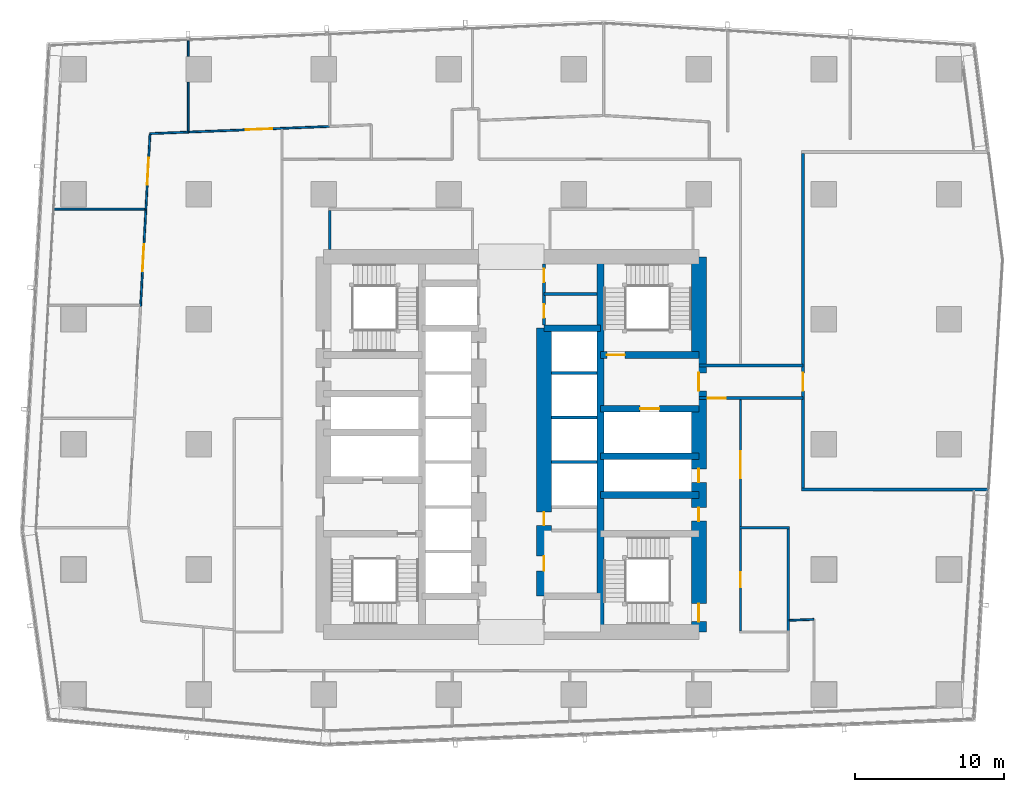
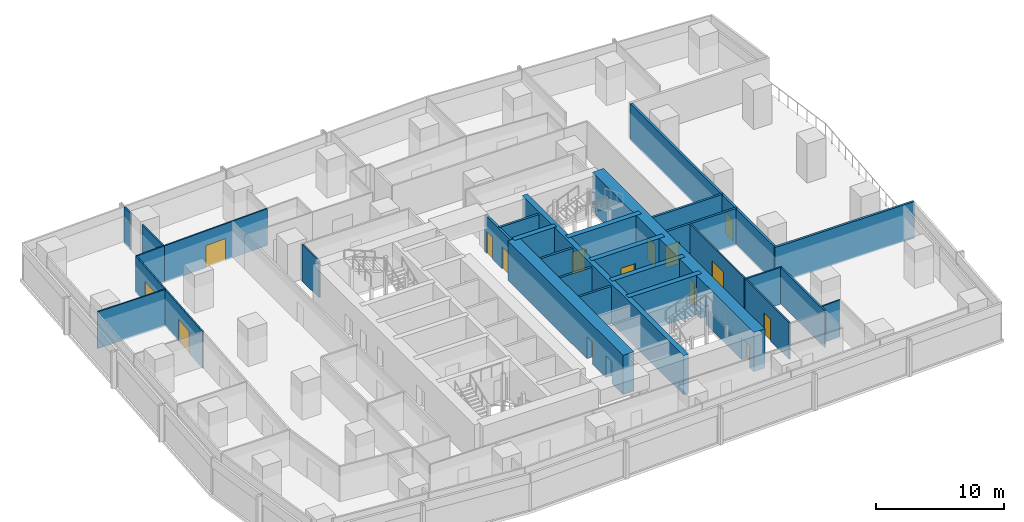
# One storey, part 30 of 40: 30 walls, 17 doors, 17 openings.
"""IFC4 building model written with IfcOpenShell, lengths in metres."""

from ifc_helpers import new_model, si_unit, direction, frame, frame_2d, origin, place, context, subcontext, project, spatial, rectangle, extrude, material, layer, layer_set, type_object, element, fill, save


model = new_model("IFC4")

# Units and contexts
model_context = context("Model", 3, precision=1e-05, world=origin(), true_north=direction((0.0, 1.0)))
body_context = subcontext(model_context, "Body", "Model", "MODEL_VIEW")
ifc_project = project(units=[si_unit("LENGTHUNIT", "METRE"), si_unit("AREAUNIT", "SQUARE_METRE"), si_unit("VOLUMEUNIT", "CUBIC_METRE"), si_unit("PLANEANGLEUNIT", "RADIAN"), si_unit("MASSUNIT", "GRAM", prefix="KILO")], contexts=[model_context])

# Site, building, storey
site_placement = place(None, origin())
site = spatial("IfcSite", under=ifc_project, at=site_placement, CompositionType="ELEMENT")
building_placement = place(site_placement, origin())
building = spatial("IfcBuilding", under=site, at=building_placement, Name="Rekha Terrace Tower", CompositionType="ELEMENT")
storey_placement = place(building_placement, frame((0.0, 0.0, 99.050048828125)))
storey = spatial("IfcBuildingStorey", under=building, at=storey_placement, Name="L24", CompositionType="ELEMENT", Elevation=99.050048828125)

# Walls
ifc_material_1 = material(Name="Concrete M70", Category="concrete")
ifc_layer_1 = layer(ifc_material_1, 0.449951171875)
ifc_layer_set_1 = layer_set([ifc_layer_1], Name="Concrete M70")
wall_type_1 = type_object("IfcWallType", Name="CI2 450 core internal shear wall", PredefinedType="SHEAR", material=ifc_layer_set_1)
wall_1_placement = place(storey_placement, frame((43.800048828125, 21.0, 0.0), z_axis=(0.0, 0.0, 1.0), x_axis=(0.0, 1.0, 0.0)))
element("IfcWall", 1, at=wall_1_placement, inside=storey, type_object=wall_type_1, Name="Core wall X438 L24", PredefinedType="SHEAR", context=body_context, shape_type="SweptSolid", body=[
    extrude(rectangle(XDim=25.199951171875, YDim=0.449951171875, at=frame_2d((12.60009765625, 0.0))), origin(), (0.0, 0.0, 1.0), 3.75),
])
wall_2_placement = place(storey_placement, frame((40.0, 41.39990234375, 0.0), z_axis=(0.0, 0.0, 1.0), x_axis=(1.0, 0.0, 0.0)))
element("IfcWall", 2, at=wall_2_placement, inside=storey, type_object=wall_type_1, Name="Core wall Y414E L24", PredefinedType="SHEAR", context=body_context, shape_type="SweptSolid", body=[
    extrude(rectangle(XDim=3.800048828125, YDim=0.449951171875, at=frame_2d((1.89990234375, 0.0))), origin(), (0.0, 0.0, 1.0), 3.75),
])
for number, where, z_axis, x_axis, name in (
    (3, (43.800048828125, 30.199951171875, 0.0), (0.0, 0.0, 1.0), (1.0, 0.0, 0.0), "Core wall Y302E L24"),
    (4, (43.800048828125, 32.800048828125, 0.0), (0.0, 0.0, 1.0), (1.0, 0.0, 0.0), "Core wall Y328E L24"),
):
    element("IfcWall", number, at=place(storey_placement, frame(where, z_axis=z_axis, x_axis=x_axis)), inside=storey, type_object=wall_type_1, Name=name, PredefinedType="SHEAR", context=body_context, shape_type="SweptSolid", body=[
        extrude(rectangle(XDim=6.599853515625, YDim=0.449951171875, at=frame_2d((3.2998046875, 0.0))), origin(), (0.0, 0.0, 1.0), 3.75),
    ])

# Wall, opening, door
wall_3_placement = place(storey_placement, frame((43.800048828125, 36.0, 0.0), z_axis=(0.0, 0.0, 1.0), x_axis=(1.0, 0.0, 0.0)))
wall_3 = element("IfcWall", 5, at=wall_3_placement, inside=storey, type_object=wall_type_1, Name="Core wall Y360E L24", PredefinedType="SHEAR", context=body_context, shape_type="SweptSolid", body=[
    extrude(rectangle(XDim=6.599853515625, YDim=0.449951171875, at=frame_2d((3.2998046875, 0.0))), origin(), (0.0, 0.0, 1.0), 3.75),
])
opening_1_placement = place(wall_3_placement, frame((2.64990234375, 0.0, 0.0)))
opening_1 = element("IfcOpeningElement", 6, at=opening_1_placement, cuts=wall_3, Name="Opening LD2", PredefinedType="OPENING", context=body_context, shape_type="SweptSolid", body=[
    extrude(rectangle(XDim=1.300048828125, YDim=2.10009765625, at=frame_2d((0.64990234375, 1.050048828125))), frame((0.0, 0.23486328125, 0.0), z_axis=(0.0, -1.0, 0.0), x_axis=(1.0, 0.0, 0.0)), (0.0, 0.0, 1.0), 0.469970703125),
])
ifc_material_2 = material(Name="Stainless steel sliding landing door", Category="steel")
door_type_1 = type_object("IfcDoorType", Name="LD2 1300x2100 fire lift landing door", OperationType="SLIDING_TO_LEFT", PredefinedType="USERDEFINED", material=ifc_material_2)
door_1_placement = place(opening_1_placement, origin())
door_1 = element("IfcDoor", 7, at=door_1_placement, inside=storey, type_object=door_type_1, Name="Lift FL2 landing door L24", ObjectType="LIFT LANDING DOOR", OperationType="SLIDING_TO_LEFT", OverallHeight=2.10009765625, OverallWidth=1.300048828125, PredefinedType="USERDEFINED", context=body_context, shape_type="SweptSolid", body=[
    extrude(rectangle(XDim=1.300048828125, YDim=2.10009765625, at=frame_2d((0.64990234375, 1.050048828125))), frame((0.0, 0.02490234375, 0.0), z_axis=(0.0, -1.0, 0.0), x_axis=(1.0, 0.0, 0.0)), (0.0, 0.0, 1.0), 0.050048828125),
])
fill(opening_1, door_1)

wall_4_placement = place(storey_placement, frame((43.800048828125, 39.60009765625, 0.0), z_axis=(0.0, 0.0, 1.0), x_axis=(1.0, 0.0, 0.0)))
wall_4 = element("IfcWall", 8, at=wall_4_placement, inside=storey, type_object=wall_type_1, Name="Core wall Y396E L24", PredefinedType="SHEAR", context=body_context, shape_type="SweptSolid", body=[
    extrude(rectangle(XDim=6.599853515625, YDim=0.449951171875, at=frame_2d((3.2998046875, 0.0))), origin(), (0.0, 0.0, 1.0), 3.75),
])
opening_2_placement = place(wall_4_placement, frame((0.425048828125, 0.0, 0.0)))
opening_2 = element("IfcOpeningElement", 9, at=opening_2_placement, cuts=wall_4, Name="Opening D1", PredefinedType="OPENING", context=body_context, shape_type="SweptSolid", body=[
    extrude(rectangle(XDim=1.199951171875, YDim=2.10009765625, at=frame_2d((0.60009765625, 1.050048828125))), frame((0.0, 0.23486328125, 0.0), z_axis=(0.0, -1.0, 0.0), x_axis=(1.0, 0.0, 0.0)), (0.0, 0.0, 1.0), 0.469970703125),
])
ifc_material_3 = material(Name="Steel fire door", Category="steel")
door_type_2 = type_object("IfcDoorType", Name="D1 1200x2100 stair fire door", OperationType="SINGLE_SWING_RIGHT", PredefinedType="DOOR", material=ifc_material_3)
door_2_placement = place(opening_2_placement, origin())
door_2 = element("IfcDoor", 10, at=door_2_placement, inside=storey, type_object=door_type_2, Name="Stair ST2 door L24", OperationType="SINGLE_SWING_RIGHT", OverallHeight=2.10009765625, OverallWidth=1.199951171875, PredefinedType="DOOR", context=body_context, shape_type="SweptSolid", body=[
    extrude(rectangle(XDim=1.199951171875, YDim=2.10009765625, at=frame_2d((0.60009765625, 1.050048828125))), frame((0.0, 0.02490234375, 0.0), z_axis=(0.0, -1.0, 0.0), x_axis=(1.0, 0.0, 0.0)), (0.0, 0.0, 1.0), 0.050048828125),
])
fill(opening_2, door_2)

# Wall, openings, doors
ifc_layer_2 = layer(ifc_material_1, 1.0)
ifc_layer_set_2 = layer_set([ifc_layer_2], Name="Concrete M70")
wall_type_2 = type_object("IfcWallType", Name="LW2 1000 core lobby wall at an outrigger level", PredefinedType="SHEAR", material=ifc_layer_set_2)
wall_5_placement = place(storey_placement, frame((40.0, 23.39990234375, 0.0), z_axis=(0.0, 0.0, 1.0), x_axis=(0.0, 1.0, 0.0)))
wall_5 = element("IfcWall", 11, at=wall_5_placement, inside=storey, type_object=wall_type_2, Name="Core wall X400 L24", PredefinedType="SHEAR", context=body_context, shape_type="SweptSolid", body=[
    extrude(rectangle(XDim=18.0, YDim=1.0, at=frame_2d((9.0, 0.0))), origin(), (0.0, 0.0, 1.0), 3.75),
])
opening_3_placement = place(wall_5_placement, frame((1.699951171875, 0.0, 0.0)))
opening_3 = element("IfcOpeningElement", 12, at=opening_3_placement, cuts=wall_5, Name="Opening D3", PredefinedType="OPENING", context=body_context, shape_type="SweptSolid", body=[
    extrude(rectangle(XDim=1.0, YDim=2.10009765625, at=frame_2d((0.5, 1.050048828125))), frame((0.0, 0.510009765625, 0.0), z_axis=(0.0, -1.0, 0.0), x_axis=(1.0, 0.0, 0.0)), (0.0, 0.0, 1.0), 1.02001953125),
])
opening_4_placement = place(wall_5_placement, frame((4.75, 0.0, 0.0)))
opening_4 = element("IfcOpeningElement", 13, at=opening_4_placement, cuts=wall_5, Name="Opening D5", PredefinedType="OPENING", context=body_context, shape_type="SweptSolid", body=[
    extrude(rectangle(XDim=0.89990234375, YDim=2.10009765625, at=frame_2d((0.449951171875, 1.050048828125))), frame((0.0, 0.510009765625, 0.0), z_axis=(0.0, -1.0, 0.0), x_axis=(1.0, 0.0, 0.0)), (0.0, 0.0, 1.0), 1.02001953125),
])
ifc_material_4 = material(Name="Laminated timber fire door", Category="wood")
door_type_3 = type_object("IfcDoorType", Name="D3 1000x2100 WC door", OperationType="SINGLE_SWING_LEFT", PredefinedType="DOOR", material=ifc_material_4)
door_3_placement = place(opening_3_placement, origin())
door_3 = element("IfcDoor", 14, at=door_3_placement, inside=storey, type_object=door_type_3, Name="Door staff wc L24", OperationType="SINGLE_SWING_LEFT", OverallHeight=2.10009765625, OverallWidth=1.0, PredefinedType="DOOR", context=body_context, shape_type="SweptSolid", body=[
    extrude(rectangle(XDim=1.0, YDim=2.10009765625, at=frame_2d((0.5, 1.050048828125))), frame((0.0, 0.02490234375, 0.0), z_axis=(0.0, -1.0, 0.0), x_axis=(1.0, 0.0, 0.0)), (0.0, 0.0, 1.0), 0.050048828125),
])
fill(opening_3, door_3)
door_type_4 = type_object("IfcDoorType", Name="D5 900x2100 riser access door", OperationType="SINGLE_SWING_LEFT", PredefinedType="DOOR", material=ifc_material_3)
door_4_placement = place(opening_4_placement, origin())
door_4 = element("IfcDoor", 15, at=door_4_placement, inside=storey, type_object=door_type_4, Name="Door records store L24", OperationType="SINGLE_SWING_LEFT", OverallHeight=2.10009765625, OverallWidth=0.89990234375, PredefinedType="DOOR", context=body_context, shape_type="SweptSolid", body=[
    extrude(rectangle(XDim=0.89990234375, YDim=2.10009765625, at=frame_2d((0.449951171875, 1.050048828125))), frame((0.0, 0.02490234375, 0.0), z_axis=(0.0, -1.0, 0.0), x_axis=(1.0, 0.0, 0.0)), (0.0, 0.0, 1.0), 0.050048828125),
])
fill(opening_4, door_4)

ifc_layer_3 = layer(ifc_material_1, 1.0)
ifc_layer_set_3 = layer_set([ifc_layer_3], Name="Concrete M70")
wall_type_3 = type_object("IfcWallType", Name="SW2 1000 core outer shear wall", PredefinedType="SHEAR", material=ifc_layer_set_3)
wall_6_placement = place(storey_placement, frame((50.39990234375, 21.0, 0.0), z_axis=(0.0, 0.0, 1.0), x_axis=(0.0, 1.0, 0.0)))
wall_6 = element("IfcWall", 16, at=wall_6_placement, inside=storey, type_object=wall_type_3, Name="Core wall E L24", PredefinedType="SHEAR", context=body_context, shape_type="SweptSolid", body=[
    extrude(rectangle(XDim=25.199951171875, YDim=1.0, at=frame_2d((12.60009765625, 0.0))), origin(), (0.0, 0.0, 1.0), 3.75),
])
opening_5_placement = place(wall_6_placement, frame((16.199951171875, 0.0, 0.0)))
opening_5 = element("IfcOpeningElement", 17, at=opening_5_placement, cuts=wall_6, Name="Opening D2", PredefinedType="OPENING", context=body_context, shape_type="SweptSolid", body=[
    extrude(rectangle(XDim=1.199951171875, YDim=2.10009765625, at=frame_2d((0.60009765625, 1.050048828125))), frame((0.0, 0.510009765625, 0.0), z_axis=(0.0, -1.0, 0.0), x_axis=(1.0, 0.0, 0.0)), (0.0, 0.0, 1.0), 1.02001953125),
])
opening_6_placement = place(wall_6_placement, frame((10.050048828125, 0.0, 0.0)))
opening_6 = element("IfcOpeningElement", 18, at=opening_6_placement, cuts=wall_6, Name="Opening D5", PredefinedType="OPENING", context=body_context, shape_type="SweptSolid", body=[
    extrude(rectangle(XDim=0.89990234375, YDim=2.10009765625, at=frame_2d((0.449951171875, 1.050048828125))), frame((0.0, 0.510009765625, 0.0), z_axis=(0.0, -1.0, 0.0), x_axis=(1.0, 0.0, 0.0)), (0.0, 0.0, 1.0), 1.02001953125),
])
opening_7_placement = place(wall_6_placement, frame((7.449951171875, 0.0, 0.0)))
opening_7 = element("IfcOpeningElement", 19, at=opening_7_placement, cuts=wall_6, Name="Opening D5", PredefinedType="OPENING", context=body_context, shape_type="SweptSolid", body=[
    extrude(rectangle(XDim=0.89990234375, YDim=2.10009765625, at=frame_2d((0.449951171875, 1.050048828125))), frame((0.0, 0.510009765625, 0.0), z_axis=(0.0, -1.0, 0.0), x_axis=(1.0, 0.0, 0.0)), (0.0, 0.0, 1.0), 1.02001953125),
])
opening_8_placement = place(wall_6_placement, frame((0.699951171875, 0.0, 0.0)))
opening_8 = element("IfcOpeningElement", 20, at=opening_8_placement, cuts=wall_6, Name="Opening D1", PredefinedType="OPENING", context=body_context, shape_type="SweptSolid", body=[
    extrude(rectangle(XDim=1.199951171875, YDim=2.10009765625, at=frame_2d((0.60009765625, 1.050048828125))), frame((0.0, 0.510009765625, 0.0), z_axis=(0.0, -1.0, 0.0), x_axis=(1.0, 0.0, 0.0)), (0.0, 0.0, 1.0), 1.02001953125),
])
door_5_placement = place(opening_8_placement, origin())
door_5 = element("IfcDoor", 21, at=door_5_placement, inside=storey, type_object=door_type_2, Name="Stair ST3 door L24", OperationType="SINGLE_SWING_RIGHT", OverallHeight=2.10009765625, OverallWidth=1.199951171875, PredefinedType="DOOR", context=body_context, shape_type="SweptSolid", body=[
    extrude(rectangle(XDim=1.199951171875, YDim=2.10009765625, at=frame_2d((0.60009765625, 1.050048828125))), frame((0.0, 0.02490234375, 0.0), z_axis=(0.0, -1.0, 0.0), x_axis=(1.0, 0.0, 0.0)), (0.0, 0.0, 1.0), 0.050048828125),
])
fill(opening_8, door_5)
door_type_5 = type_object("IfcDoorType", Name="D2 1200x2100 firefighting lobby door", OperationType="SINGLE_SWING_LEFT", PredefinedType="DOOR", material=ifc_material_3)
door_6_placement = place(opening_5_placement, origin())
door_6 = element("IfcDoor", 22, at=door_6_placement, inside=storey, type_object=door_type_5, Name="Door flb2 L24", OperationType="SINGLE_SWING_LEFT", OverallHeight=2.10009765625, OverallWidth=1.199951171875, PredefinedType="DOOR", context=body_context, shape_type="SweptSolid", body=[
    extrude(rectangle(XDim=1.199951171875, YDim=2.10009765625, at=frame_2d((0.60009765625, 1.050048828125))), frame((0.0, 0.02490234375, 0.0), z_axis=(0.0, -1.0, 0.0), x_axis=(1.0, 0.0, 0.0)), (0.0, 0.0, 1.0), 0.050048828125),
])
fill(opening_5, door_6)
door_7_placement = place(opening_6_placement, origin())
door_7 = element("IfcDoor", 23, at=door_7_placement, inside=storey, type_object=door_type_4, Name="Door rs2 L24", OperationType="SINGLE_SWING_LEFT", OverallHeight=2.10009765625, OverallWidth=0.89990234375, PredefinedType="DOOR", context=body_context, shape_type="SweptSolid", body=[
    extrude(rectangle(XDim=0.89990234375, YDim=2.10009765625, at=frame_2d((0.449951171875, 1.050048828125))), frame((0.0, 0.02490234375, 0.0), z_axis=(0.0, -1.0, 0.0), x_axis=(1.0, 0.0, 0.0)), (0.0, 0.0, 1.0), 0.050048828125),
])
fill(opening_6, door_7)
door_8_placement = place(opening_7_placement, origin())
door_8 = element("IfcDoor", 24, at=door_8_placement, inside=storey, type_object=door_type_4, Name="Door ele L24", OperationType="SINGLE_SWING_LEFT", OverallHeight=2.10009765625, OverallWidth=0.89990234375, PredefinedType="DOOR", context=body_context, shape_type="SweptSolid", body=[
    extrude(rectangle(XDim=0.89990234375, YDim=2.10009765625, at=frame_2d((0.449951171875, 1.050048828125))), frame((0.0, 0.02490234375, 0.0), z_axis=(0.0, -1.0, 0.0), x_axis=(1.0, 0.0, 0.0)), (0.0, 0.0, 1.0), 0.050048828125),
])
fill(opening_7, door_8)

# Walls
ifc_material_5 = material(Name="Concrete block masonry, 1 hour", Category="masonry")
ifc_layer_4 = layer(ifc_material_5, 0.14990234375)
ifc_layer_set_4 = layer_set([ifc_layer_4], Name="Concrete block masonry, 1 hour")
wall_type_4 = type_object("IfcWallType", Name="WP2 150 tenancy partition", PredefinedType="PARTITIONING", material=ifc_layer_set_4)
wall_7_placement = place(storey_placement, frame((25.60009765625, 46.699951171875, 0.0), z_axis=(0.0, 0.0, 1.0), x_axis=(0.0, 1.0, 0.0)))
element("IfcWall", 25, at=wall_7_placement, inside=storey, type_object=wall_type_4, Name="Women's WC wall L24", PredefinedType="PARTITIONING", context=body_context, shape_type="SweptSolid", body=[
    extrude(rectangle(XDim=2.625, YDim=0.14990234375, at=frame_2d((1.3125, 0.0))), origin(), (0.0, 0.0, 1.0), 3.5),
])
wall_8_placement = place(storey_placement, frame((53.125, 28.0, 0.0), z_axis=(0.0, 0.0, 1.0), x_axis=(1.0, 0.0, 0.0)))
element("IfcWall", 26, at=wall_8_placement, inside=storey, type_object=wall_type_4, Name="Men's WC wall L24", PredefinedType="PARTITIONING", context=body_context, shape_type="SweptSolid", body=[
    extrude(rectangle(XDim=3.35009765625, YDim=0.14990234375, at=frame_2d((1.675048828125, 0.0))), origin(), (0.0, 0.0, 1.0), 3.5),
])

# Wall, opening, door
wall_9_placement = place(storey_placement, frame((53.199951171875, 21.074951171875, 0.0), z_axis=(0.0, 0.0, 1.0), x_axis=(0.0, 1.0, 0.0)))
wall_9 = element("IfcWall", 27, at=wall_9_placement, inside=storey, type_object=wall_type_4, Name="Men's WC wall L24", PredefinedType="PARTITIONING", context=body_context, shape_type="SweptSolid", body=[
    extrude(rectangle(XDim=6.85009765625, YDim=0.14990234375, at=frame_2d((3.425048828125, 0.0))), origin(), (0.0, 0.0, 1.0), 3.5),
])
opening_9_placement = place(wall_9_placement, frame((2.925048828125, 0.0, 0.0)))
opening_9 = element("IfcOpeningElement", 28, at=opening_9_placement, cuts=wall_9, Name="Opening D3", PredefinedType="OPENING", context=body_context, shape_type="SweptSolid", body=[
    extrude(rectangle(XDim=1.0, YDim=2.10009765625, at=frame_2d((0.5, 1.050048828125))), frame((0.0, 0.0849609375, 0.0), z_axis=(0.0, -1.0, 0.0), x_axis=(1.0, 0.0, 0.0)), (0.0, 0.0, 1.0), 0.169921875),
])
door_9_placement = place(opening_9_placement, origin())
door_9 = element("IfcDoor", 29, at=door_9_placement, inside=storey, type_object=door_type_3, Name="Door men's wc L24", OperationType="SINGLE_SWING_LEFT", OverallHeight=2.10009765625, OverallWidth=1.0, PredefinedType="DOOR", context=body_context, shape_type="SweptSolid", body=[
    extrude(rectangle(XDim=1.0, YDim=2.10009765625, at=frame_2d((0.5, 1.050048828125))), frame((0.0, 0.02490234375, 0.0), z_axis=(0.0, -1.0, 0.0), x_axis=(1.0, 0.0, 0.0)), (0.0, 0.0, 1.0), 0.050048828125),
])
fill(opening_9, door_9)

# Wall
wall_10_placement = place(storey_placement, frame((56.39990234375, 21.074951171875, 0.0), z_axis=(0.0, 0.0, 1.0), x_axis=(0.0, 1.0, 0.0)))
element("IfcWall", 30, at=wall_10_placement, inside=storey, type_object=wall_type_4, Name="Men's WC wall L24", PredefinedType="PARTITIONING", context=body_context, shape_type="SweptSolid", body=[
    extrude(rectangle(XDim=6.85009765625, YDim=0.14990234375, at=frame_2d((3.425048828125, 0.0))), origin(), (0.0, 0.0, 1.0), 3.5),
])

# Wall, opening, door
ifc_material_6 = material(Name="Two layers of fire-rated gypsum board each side on steel studs, acoustic quilt, 1 hour", Category="steel")
ifc_layer_5 = layer(ifc_material_6, 0.125)
ifc_layer_set_5 = layer_set([ifc_layer_5], Name="Two layers of fire-rated gypsum board each side on steel studs, acoustic quilt, 1 hour")
wall_type_5 = type_object("IfcWallType", Name="WP3 125 office partition", PredefinedType="PARTITIONING", material=ifc_layer_set_5)
wall_11_placement = place(storey_placement, frame((53.199951171875, 28.074951171875, 0.0), z_axis=(0.0, 0.0, 1.0), x_axis=(0.0, 1.0, 0.0)))
wall_11 = element("IfcWall", 31, at=wall_11_placement, inside=storey, type_object=wall_type_5, Name="Partition L24-02", PredefinedType="PARTITIONING", context=body_context, shape_type="SweptSolid", body=[
    extrude(rectangle(XDim=8.51416015625, YDim=0.125, at=frame_2d((4.257080078125, 0.0))), origin(), (0.0, 0.0, 1.0), 3.5),
])
opening_10_placement = place(wall_11_placement, frame((3.2490234375, 0.0, 0.0)))
opening_10 = element("IfcOpeningElement", 32, at=opening_10_placement, cuts=wall_11, Name="Opening D8", PredefinedType="OPENING", context=body_context, shape_type="SweptSolid", body=[
    extrude(rectangle(XDim=1.800048828125, YDim=2.10009765625, at=frame_2d((0.89990234375, 1.050048828125))), frame((0.0, 0.072509765625, 0.0), z_axis=(0.0, -1.0, 0.0), x_axis=(1.0, 0.0, 0.0)), (0.0, 0.0, 1.0), 0.14501953125),
])
ifc_material_7 = material(Name="Timber fire door", Category="wood")
door_type_6 = type_object("IfcDoorType", Name="D8 1800x2100 double leaf door", OperationType="DOUBLE_DOOR_SINGLE_SWING", PredefinedType="DOOR", material=ifc_material_7)
door_10_placement = place(opening_10_placement, origin())
door_10 = element("IfcDoor", 33, at=door_10_placement, inside=storey, type_object=door_type_6, Name="Door breakout lounge L24", OperationType="DOUBLE_DOOR_SINGLE_SWING", OverallHeight=2.10009765625, OverallWidth=1.800048828125, PredefinedType="DOOR", context=body_context, shape_type="SweptSolid", body=[
    extrude(rectangle(XDim=1.800048828125, YDim=2.10009765625, at=frame_2d((0.89990234375, 1.050048828125))), frame((0.0, 0.02490234375, 0.0), z_axis=(0.0, -1.0, 0.0), x_axis=(1.0, 0.0, 0.0)), (0.0, 0.0, 1.0), 0.050048828125),
])
fill(opening_10, door_10)

wall_12_placement = place(storey_placement, frame((25.59912109375, 54.9560546875, 0.0), z_axis=(0.0, 0.0, 1.0), x_axis=(-0.999199932579, -0.039993683677, 0.0)))
wall_12 = element("IfcWall", 34, at=wall_12_placement, inside=storey, type_object=wall_type_5, Name="Partition L24-06", PredefinedType="PARTITIONING", context=body_context, shape_type="SweptSolid", body=[
    extrude(rectangle(XDim=9.504638671875, YDim=0.125, at=frame_2d((4.75244140625, 0.0))), origin(), (0.0, 0.0, 1.0), 3.5),
])
opening_11_placement = place(wall_12_placement, frame((3.85205078125, 0.0, 0.0)))
opening_11 = element("IfcOpeningElement", 35, at=opening_11_placement, cuts=wall_12, Name="Opening D8", PredefinedType="OPENING", context=body_context, shape_type="SweptSolid", body=[
    extrude(rectangle(XDim=1.800048828125, YDim=2.10009765625, at=frame_2d((0.89990234375, 1.050048828125))), frame((0.0, 0.072509765625, 0.0), z_axis=(0.0, -1.0, 0.0), x_axis=(1.0, 0.0, 0.0)), (0.0, 0.0, 1.0), 0.14501953125),
])
door_11_placement = place(opening_11_placement, origin())
door_11 = element("IfcDoor", 36, at=door_11_placement, inside=storey, type_object=door_type_6, Name="Door training and meeting room L24", OperationType="DOUBLE_DOOR_SINGLE_SWING", OverallHeight=2.10009765625, OverallWidth=1.800048828125, PredefinedType="DOOR", context=body_context, shape_type="SweptSolid", body=[
    extrude(rectangle(XDim=1.800048828125, YDim=2.10009765625, at=frame_2d((0.89990234375, 1.050048828125))), frame((0.0, 0.02490234375, 0.0), z_axis=(0.0, -1.0, 0.0), x_axis=(1.0, 0.0, 0.0)), (0.0, 0.0, 1.0), 0.050048828125),
])
fill(opening_11, door_11)

# Walls
wall_13_placement = place(storey_placement, frame((16.10205078125, 54.575927734375, 0.0), z_axis=(0.0, 0.0, 1.0), x_axis=(0.0, 1.0, 0.0)))
element("IfcWall", 37, at=wall_13_placement, inside=storey, type_object=wall_type_5, Name="Partition L24-06", PredefinedType="PARTITIONING", context=body_context, shape_type="SweptSolid", body=[
    extrude(rectangle(XDim=3.35400390625, YDim=0.125, at=frame_2d((1.677001953125, 0.0))), origin(), (0.0, 0.0, 1.0), 3.5),
])
wall_14_placement = place(storey_placement, frame((16.10205078125, 59.669921875, 0.0), z_axis=(0.0, 0.0, 1.0), x_axis=(0.0, 1.0, 0.0)))
element("IfcWall", 38, at=wall_14_placement, inside=storey, type_object=wall_type_5, Name="Partition L24-06", PredefinedType="PARTITIONING", context=body_context, shape_type="SweptSolid", body=[
    extrude(rectangle(XDim=1.030029296875, YDim=0.125, at=frame_2d((0.51513671875, 0.0))), origin(), (0.0, 0.0, 1.0), 3.5),
])
wall_15_placement = place(storey_placement, frame((13.257080078125, 49.404052734375, 0.0), z_axis=(0.0, 0.0, 1.0), x_axis=(-1.0, 0.0, 0.0)))
element("IfcWall", 39, at=wall_15_placement, inside=storey, type_object=wall_type_5, Name="Partition L24-07", PredefinedType="PARTITIONING", context=body_context, shape_type="SweptSolid", body=[
    extrude(rectangle(XDim=6.1591796875, YDim=0.125, at=frame_2d((3.07958984375, 0.0))), origin(), (0.0, 0.0, 1.0), 3.5),
])
wall_16_placement = place(storey_placement, frame((16.10107421875, 54.575927734375, 0.0), z_axis=(0.0, 0.0, 1.0), x_axis=(-0.999195025369, -0.040116097489, 0.0)))
element("IfcWall", 40, at=wall_16_placement, inside=storey, type_object=wall_type_5, Name="Partition L24-07", PredefinedType="PARTITIONING", context=body_context, shape_type="SweptSolid", body=[
    extrude(rectangle(XDim=2.568115234375, YDim=0.125, at=frame_2d((1.2841796875, 0.0))), origin(), (0.0, 0.0, 1.0), 3.5),
])

# Wall, opening, door
wall_17_placement = place(storey_placement, frame((13.534912109375, 54.472900390625, 0.0), z_axis=(0.0, 0.0, 1.0), x_axis=(-0.054729524336, -0.998501216407, 0.0)))
wall_17 = element("IfcWall", 41, at=wall_17_placement, inside=storey, type_object=wall_type_5, Name="Partition L24-07", PredefinedType="PARTITIONING", context=body_context, shape_type="SweptSolid", body=[
    extrude(rectangle(XDim=5.076416015625, YDim=0.125, at=frame_2d((2.5380859375, 0.0))), origin(), (0.0, 0.0, 1.0), 3.5),
])
opening_12_placement = place(wall_17_placement, frame((1.637939453125, 0.0, 0.0)))
opening_12 = element("IfcOpeningElement", 42, at=opening_12_placement, cuts=wall_17, Name="Opening D8", PredefinedType="OPENING", context=body_context, shape_type="SweptSolid", body=[
    extrude(rectangle(XDim=1.800048828125, YDim=2.10009765625, at=frame_2d((0.89990234375, 1.050048828125))), frame((0.0, 0.072509765625, 0.0), z_axis=(0.0, -1.0, 0.0), x_axis=(1.0, 0.0, 0.0)), (0.0, 0.0, 1.0), 0.14501953125),
])
door_12_placement = place(opening_12_placement, origin())
door_12 = element("IfcDoor", 43, at=door_12_placement, inside=storey, type_object=door_type_6, Name="Door breakout lounge L24", OperationType="DOUBLE_DOOR_SINGLE_SWING", OverallHeight=2.10009765625, OverallWidth=1.800048828125, PredefinedType="DOOR", context=body_context, shape_type="SweptSolid", body=[
    extrude(rectangle(XDim=1.800048828125, YDim=2.10009765625, at=frame_2d((0.89990234375, 1.050048828125))), frame((0.0, 0.02490234375, 0.0), z_axis=(0.0, -1.0, 0.0), x_axis=(1.0, 0.0, 0.0)), (0.0, 0.0, 1.0), 0.050048828125),
])
fill(opening_12, door_12)

wall_18_placement = place(storey_placement, frame((13.257080078125, 49.403076171875, 0.0), z_axis=(0.0, 0.0, 1.0), x_axis=(-0.05476496183, -0.998499273388, 0.0)))
wall_18 = element("IfcWall", 44, at=wall_18_placement, inside=storey, type_object=wall_type_5, Name="Partition L24-08", PredefinedType="PARTITIONING", context=body_context, shape_type="SweptSolid", body=[
    extrude(rectangle(XDim=6.539794921875, YDim=0.125, at=frame_2d((3.27001953125, 0.0))), origin(), (0.0, 0.0, 1.0), 3.5),
])
opening_13_placement = place(wall_18_placement, frame((2.3701171875, 0.0, 0.0)))
opening_13 = element("IfcOpeningElement", 45, at=opening_13_placement, cuts=wall_18, Name="Opening D8", PredefinedType="OPENING", context=body_context, shape_type="SweptSolid", body=[
    extrude(rectangle(XDim=1.800048828125, YDim=2.10009765625, at=frame_2d((0.89990234375, 1.050048828125))), frame((0.0, 0.072509765625, 0.0), z_axis=(0.0, -1.0, 0.0), x_axis=(1.0, 0.0, 0.0)), (0.0, 0.0, 1.0), 0.14501953125),
])
door_13_placement = place(opening_13_placement, origin())
door_13 = element("IfcDoor", 46, at=door_13_placement, inside=storey, type_object=door_type_6, Name="Door training and meeting room L24", OperationType="DOUBLE_DOOR_SINGLE_SWING", OverallHeight=2.10009765625, OverallWidth=1.800048828125, PredefinedType="DOOR", context=body_context, shape_type="SweptSolid", body=[
    extrude(rectangle(XDim=1.800048828125, YDim=2.10009765625, at=frame_2d((0.89990234375, 1.050048828125))), frame((0.0, 0.02490234375, 0.0), z_axis=(0.0, -1.0, 0.0), x_axis=(1.0, 0.0, 0.0)), (0.0, 0.0, 1.0), 0.050048828125),
])
fill(opening_13, door_13)

# Walls
wall_19_placement = place(storey_placement, frame((56.47509765625, 21.778076171875, 0.0), z_axis=(0.0, 0.0, 1.0), x_axis=(0.999233757157, 0.039139475689, 0.0)))
element("IfcWall", 47, at=wall_19_placement, inside=storey, type_object=wall_type_5, Name="Partition L24-12", PredefinedType="PARTITIONING", context=body_context, shape_type="SweptSolid", body=[
    extrude(rectangle(XDim=1.6591796875, YDim=0.125, at=frame_2d((0.82958984375, 0.0))), origin(), (0.0, 0.0, 1.0), 3.5),
])
ifc_material_8 = material(Name="Solid concrete block masonry, 2 hour", Category="masonry")
ifc_layer_6 = layer(ifc_material_8, 0.199951171875)
ifc_layer_set_6 = layer_set([ifc_layer_6], Name="Solid concrete block masonry, 2 hour")
wall_type_6 = type_object("IfcWallType", Name="WS1 200 stair and shaft enclosure", PredefinedType="PARTITIONING", material=ifc_layer_set_6)
for number, where, z_axis, x_axis, name in (
    (48, (40.5, 32.39990234375, 0.0), (0.0, 0.0, 1.0), (1.0, 0.0, 0.0), "Lift shaft divider L24"),
    (49, (40.5, 35.39990234375, 0.0), (0.0, 0.0, 1.0), (1.0, 0.0, 0.0), "Lift shaft divider L24"),
    (50, (40.5, 38.39990234375, 0.0), (0.0, 0.0, 1.0), (1.0, 0.0, 0.0), "Lift shaft divider L24"),
):
    element("IfcWall", number, at=place(storey_placement, frame(where, z_axis=z_axis, x_axis=x_axis)), inside=storey, type_object=wall_type_6, Name=name, PredefinedType="PARTITIONING", context=body_context, shape_type="SweptSolid", body=[
        extrude(rectangle(XDim=3.074951171875, YDim=0.199951171875, at=frame_2d((1.53759765625, 0.0))), origin(), (0.0, 0.0, 1.0), 3.5),
    ])

# Wall, openings, doors
wall_20_placement = place(storey_placement, frame((40.0, 41.625, 0.0), z_axis=(0.0, 0.0, 1.0), x_axis=(0.0, 1.0, 0.0)))
wall_20 = element("IfcWall", 51, at=wall_20_placement, inside=storey, type_object=wall_type_6, Name="Core partition elec L24", PredefinedType="PARTITIONING", context=body_context, shape_type="SweptSolid", body=[
    extrude(rectangle(XDim=4.074951171875, YDim=0.199951171875, at=frame_2d((2.03759765625, 0.0))), origin(), (0.0, 0.0, 1.0), 3.5),
])
opening_14_placement = place(wall_20_placement, frame((2.875, 0.0, 0.0)))
opening_14 = element("IfcOpeningElement", 52, at=opening_14_placement, cuts=wall_20, Name="Opening D5", PredefinedType="OPENING", context=body_context, shape_type="SweptSolid", body=[
    extrude(rectangle(XDim=0.89990234375, YDim=2.10009765625, at=frame_2d((0.449951171875, 1.050048828125))), frame((0.0, 0.10986328125, 0.0), z_axis=(0.0, -1.0, 0.0), x_axis=(1.0, 0.0, 0.0)), (0.0, 0.0, 1.0), 0.219970703125),
])
opening_15_placement = place(wall_20_placement, frame((0.47509765625, 0.0, 0.0)))
opening_15 = element("IfcOpeningElement", 53, at=opening_15_placement, cuts=wall_20, Name="Opening D5", PredefinedType="OPENING", context=body_context, shape_type="SweptSolid", body=[
    extrude(rectangle(XDim=0.89990234375, YDim=2.10009765625, at=frame_2d((0.449951171875, 1.050048828125))), frame((0.0, 0.10986328125, 0.0), z_axis=(0.0, -1.0, 0.0), x_axis=(1.0, 0.0, 0.0)), (0.0, 0.0, 1.0), 0.219970703125),
])
door_14_placement = place(opening_14_placement, origin())
door_14 = element("IfcDoor", 54, at=door_14_placement, inside=storey, type_object=door_type_4, Name="Door electrical room L24", OperationType="SINGLE_SWING_LEFT", OverallHeight=2.10009765625, OverallWidth=0.89990234375, PredefinedType="DOOR", context=body_context, shape_type="SweptSolid", body=[
    extrude(rectangle(XDim=0.89990234375, YDim=2.10009765625, at=frame_2d((0.449951171875, 1.050048828125))), frame((0.0, 0.02490234375, 0.0), z_axis=(0.0, -1.0, 0.0), x_axis=(1.0, 0.0, 0.0)), (0.0, 0.0, 1.0), 0.050048828125),
])
fill(opening_14, door_14)
door_15_placement = place(opening_15_placement, origin())
door_15 = element("IfcDoor", 55, at=door_15_placement, inside=storey, type_object=door_type_4, Name="Door records store L24", OperationType="SINGLE_SWING_LEFT", OverallHeight=2.10009765625, OverallWidth=0.89990234375, PredefinedType="DOOR", context=body_context, shape_type="SweptSolid", body=[
    extrude(rectangle(XDim=0.89990234375, YDim=2.10009765625, at=frame_2d((0.449951171875, 1.050048828125))), frame((0.0, 0.02490234375, 0.0), z_axis=(0.0, -1.0, 0.0), x_axis=(1.0, 0.0, 0.0)), (0.0, 0.0, 1.0), 0.050048828125),
])
fill(opening_15, door_15)

# Wall
wall_21_placement = place(storey_placement, frame((40.0, 43.699951171875, 0.0), z_axis=(0.0, 0.0, 1.0), x_axis=(1.0, 0.0, 0.0)))
element("IfcWall", 56, at=wall_21_placement, inside=storey, type_object=wall_type_6, Name="Core partition elx L24", PredefinedType="PARTITIONING", context=body_context, shape_type="SweptSolid", body=[
    extrude(rectangle(XDim=3.574951171875, YDim=0.199951171875, at=frame_2d((1.78759765625, 0.0))), origin(), (0.0, 0.0, 1.0), 3.5),
])

# Wall, opening, door
wall_22_placement = place(storey_placement, frame((57.39990234375, 30.677978515625, 0.0), z_axis=(0.0, 0.0, 1.0), x_axis=(0.0, 1.0, 0.0)))
wall_22 = element("IfcWall", 57, at=wall_22_placement, inside=storey, type_object=wall_type_6, Name="Refuge area inner wall L24", PredefinedType="PARTITIONING", context=body_context, shape_type="SweptSolid", body=[
    extrude(rectangle(XDim=22.447021484375, YDim=0.199951171875, at=frame_2d((11.2236328125, 0.0))), origin(), (0.0, 0.0, 1.0), 3.5),
])
opening_16_placement = place(wall_22_placement, frame((6.52197265625, 0.0, 0.0)))
opening_16 = element("IfcOpeningElement", 58, at=opening_16_placement, cuts=wall_22, Name="Opening D2", PredefinedType="OPENING", context=body_context, shape_type="SweptSolid", body=[
    extrude(rectangle(XDim=1.199951171875, YDim=2.10009765625, at=frame_2d((0.60009765625, 1.050048828125))), frame((0.0, 0.10986328125, 0.0), z_axis=(0.0, -1.0, 0.0), x_axis=(1.0, 0.0, 0.0)), (0.0, 0.0, 1.0), 0.219970703125),
])
door_16_placement = place(opening_16_placement, origin())
door_16 = element("IfcDoor", 59, at=door_16_placement, inside=storey, type_object=door_type_5, Name="Refuge area door L24", OperationType="SINGLE_SWING_LEFT", OverallHeight=2.10009765625, OverallWidth=1.199951171875, PredefinedType="DOOR", context=body_context, shape_type="SweptSolid", body=[
    extrude(rectangle(XDim=1.199951171875, YDim=2.10009765625, at=frame_2d((0.60009765625, 1.050048828125))), frame((0.0, 0.02490234375, 0.0), z_axis=(0.0, -1.0, 0.0), x_axis=(1.0, 0.0, 0.0)), (0.0, 0.0, 1.0), 0.050048828125),
])
fill(opening_16, door_16)

# Walls
wall_23_placement = place(storey_placement, frame((57.300048828125, 30.577880859375, 0.0), z_axis=(0.0, 0.0, 1.0), x_axis=(1.0, 0.0, 0.0)))
element("IfcWall", 60, at=wall_23_placement, inside=storey, type_object=wall_type_6, Name="Refuge area south wall L24", PredefinedType="PARTITIONING", context=body_context, shape_type="SweptSolid", body=[
    extrude(rectangle(XDim=12.554931640625, YDim=0.199951171875, at=frame_2d((6.27734375, 0.0))), origin(), (0.0, 0.0, 1.0), 3.5),
])
wall_24_placement = place(storey_placement, frame((50.39990234375, 38.89990234375, 0.0), z_axis=(0.0, 0.0, 1.0), x_axis=(1.0, 0.0, 0.0)))
element("IfcWall", 61, at=wall_24_placement, inside=storey, type_object=wall_type_6, Name="Refuge corridor north wall L24", PredefinedType="PARTITIONING", context=body_context, shape_type="SweptSolid", body=[
    extrude(rectangle(XDim=7.0, YDim=0.199951171875, at=frame_2d((3.5, 0.0))), origin(), (0.0, 0.0, 1.0), 3.5),
])

# Wall, opening, door
wall_25_placement = place(storey_placement, frame((50.39990234375, 36.699951171875, 0.0), z_axis=(0.0, 0.0, 1.0), x_axis=(1.0, 0.0, 0.0)))
wall_25 = element("IfcWall", 62, at=wall_25_placement, inside=storey, type_object=wall_type_6, Name="Refuge corridor south wall L24", PredefinedType="PARTITIONING", context=body_context, shape_type="SweptSolid", body=[
    extrude(rectangle(XDim=7.0, YDim=0.199951171875, at=frame_2d((3.5, 0.0))), origin(), (0.0, 0.0, 1.0), 3.5),
])
opening_17_placement = place(wall_25_placement, frame((0.60009765625, 0.0, 0.0)))
opening_17 = element("IfcOpeningElement", 63, at=opening_17_placement, cuts=wall_25, Name="Opening D2", PredefinedType="OPENING", context=body_context, shape_type="SweptSolid", body=[
    extrude(rectangle(XDim=1.199951171875, YDim=2.10009765625, at=frame_2d((0.60009765625, 1.050048828125))), frame((0.0, 0.10986328125, 0.0), z_axis=(0.0, -1.0, 0.0), x_axis=(1.0, 0.0, 0.0)), (0.0, 0.0, 1.0), 0.219970703125),
])
door_17_placement = place(opening_17_placement, origin())
door_17 = element("IfcDoor", 64, at=door_17_placement, inside=storey, type_object=door_type_5, Name="Refuge corridor door L24", OperationType="SINGLE_SWING_LEFT", OverallHeight=2.10009765625, OverallWidth=1.199951171875, PredefinedType="DOOR", context=body_context, shape_type="SweptSolid", body=[
    extrude(rectangle(XDim=1.199951171875, YDim=2.10009765625, at=frame_2d((0.60009765625, 1.050048828125))), frame((0.0, 0.02490234375, 0.0), z_axis=(0.0, -1.0, 0.0), x_axis=(1.0, 0.0, 0.0)), (0.0, 0.0, 1.0), 0.050048828125),
])
fill(opening_17, door_17)

save(model, "model.ifc")
